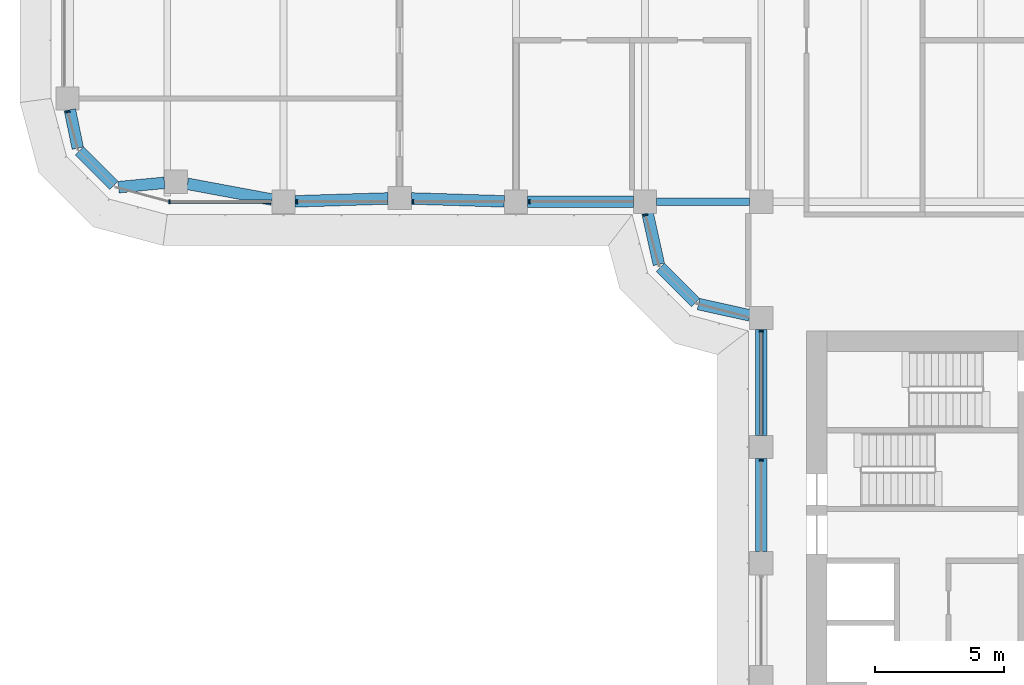
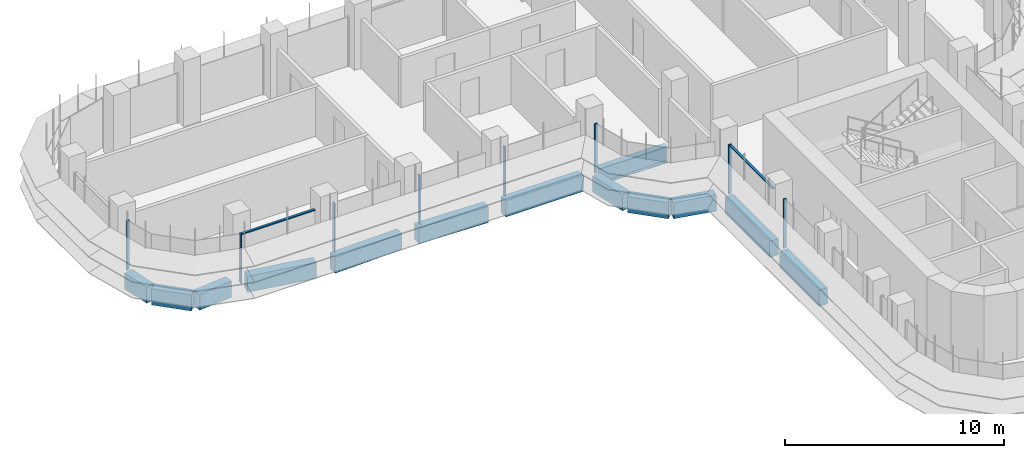
# One storey, part 3 of 22: 13 beams, 10 members, 4 elements without a shape of their own.
"""IFC4 building model written with IfcOpenShell, lengths in metres."""

import ifcopenshell
import ifcopenshell.guid

model = None  # the IFC model being written
_history = None  # IfcOwnerHistory: only IFC2X3 demands one
_inside = {}  # id of a spatial element -> (the spatial element, [elements in it])
_under = {}  # id of a project, library or spatial element -> (it, [spatial elements below it])
_declared = {}  # id of a project -> (the project, [libraries it declares])
_typed = {}  # id of a type object -> (the type object, [elements of that type])
_made_of = {}  # id of a material, layer set ... -> (it, [elements and type objects made of it])


def new_model(schema):
    """Start an empty IFC model of exactly this schema.

    Asked for "IFC4X3", IfcOpenShell would pick the latest addendum, in which some entities
    have other attributes; the version numbers below select the first issue.
    IFC2X3 requires an IfcOwnerHistory on every rooted entity: one is made here for all.
    """
    global model, _history
    if schema == "IFC4X3":
        model = ifcopenshell.file(schema_version=(4, 3, 0, 0))
    else:
        model = ifcopenshell.file(schema=schema)
    _inside.clear()
    _under.clear()
    _declared.clear()
    _typed.clear()
    _made_of.clear()
    _history = None
    if model.schema == "IFC2X3":
        org = make("IfcOrganization", Name="unknown")
        user = make(
            "IfcPersonAndOrganization",
            ThePerson=make("IfcPerson", FamilyName="unknown"),
            TheOrganization=org,
        )
        app = make(
            "IfcApplication",
            ApplicationDeveloper=org,
            Version="unknown",
            ApplicationFullName="unknown",
            ApplicationIdentifier="unknown",
        )
        _history = make(
            "IfcOwnerHistory",
            OwningUser=user,
            OwningApplication=app,
            ChangeAction="ADDED",
            CreationDate=0,
        )
    return model


def make(cls, **values):
    """One entity of the class cls with the attributes given. An attribute that is None is left unset."""
    return model.create_entity(
        cls, **{name: value for name, value in values.items() if value is not None}
    )


def rooted(cls, **values):
    """An entity with a GlobalId (a new one), such as an element, a storey or a relation."""
    return make(cls, GlobalId=ifcopenshell.guid.new(), OwnerHistory=_history, **values)


def si_unit(unit_type, name, prefix=None):
    """IfcSIUnit, for example si_unit("LENGTHUNIT", "METRE", prefix="MILLI")."""
    return make("IfcSIUnit", UnitType=unit_type, Prefix=prefix, Name=name)


def assignment(units):
    """IfcUnitAssignment: the units of a project."""
    return None if units is None else make("IfcUnitAssignment", Units=units)


def point(xyz):
    """IfcCartesianPoint."""
    return None if xyz is None else make("IfcCartesianPoint", Coordinates=xyz)


def direction(xyz):
    """IfcDirection."""
    return None if xyz is None else make("IfcDirection", DirectionRatios=xyz)


def frame(location, z_axis=None, x_axis=None):
    """IfcAxis2Placement3D, a coordinate frame: its origin and axes. An axis left out is left unset."""
    return make(
        "IfcAxis2Placement3D",
        Location=point(location),
        Axis=direction(z_axis),
        RefDirection=direction(x_axis),
    )


def frame_2d(location, x_axis=None):
    """IfcAxis2Placement2D, a coordinate frame in the plane: its origin and x axis."""
    return make(
        "IfcAxis2Placement2D", Location=point(location), RefDirection=direction(x_axis)
    )


def origin():
    """The frame at (0, 0, 0) with its axes left unset."""
    return frame((0.0, 0.0, 0.0))


def origin_2d():
    """The frame at (0, 0) in the plane with its x axis left unset."""
    return frame_2d((0.0, 0.0))


def place(relative_to, where):
    """IfcLocalPlacement: puts the frame where relative to a parent placement (None: the world)."""
    return make(
        "IfcLocalPlacement", PlacementRelTo=relative_to, RelativePlacement=where
    )


def context(
    kind, dimensions, precision=None, world=None, true_north=None, identifier=None
):
    """IfcGeometricRepresentationContext, for example the 3D "Model" context."""
    return make(
        "IfcGeometricRepresentationContext",
        ContextIdentifier=identifier,
        ContextType=kind,
        CoordinateSpaceDimension=dimensions,
        Precision=precision,
        WorldCoordinateSystem=world,
        TrueNorth=true_north,
    )


def subcontext(parent, identifier, kind, view, scale=None):
    """IfcGeometricRepresentationSubContext, for example "Body" below "Model"."""
    return make(
        "IfcGeometricRepresentationSubContext",
        ContextIdentifier=identifier,
        ContextType=kind,
        ParentContext=parent,
        TargetScale=scale,
        TargetView=view,
    )


def project(units=None, contexts=None):
    """IfcProject with its units and contexts."""
    return rooted(
        "IfcProject",
        Name="project",
        RepresentationContexts=contexts,
        UnitsInContext=assignment(units),
    )


def spatial(cls, under=None, at=None, **own):
    """A site, building, storey or space (cls), placed at a placement, below another one or the project."""
    s = rooted(cls, ObjectPlacement=at, **own)
    if under is not None:
        _under.setdefault(under.id(), (under, []))[1].append(s)
    return s


def polyline(points):
    """IfcPolyline through the points."""
    return make("IfcPolyline", Points=[point(p) for p in points])


def profile(cls, at=None, kind="AREA", **sizes):
    """A parametric profile (cls). Its sizes go by their IFC names, for example OverallWidth=200.0."""
    return make(cls, ProfileType=kind, Position=at, **sizes)


def rectangle(**sizes):
    """IfcRectangleProfileDef."""
    return profile("IfcRectangleProfileDef", **sizes)


def i_section(**sizes):
    """IfcIShapeProfileDef."""
    return profile("IfcIShapeProfileDef", **sizes)


def outline(outer, holes=None, kind="AREA"):
    """IfcArbitraryClosedProfileDef: a profile drawn as a closed curve; with holes, ...WithVoids."""
    if holes is None:
        return make("IfcArbitraryClosedProfileDef", ProfileType=kind, OuterCurve=outer)
    return make(
        "IfcArbitraryProfileDefWithVoids",
        ProfileType=kind,
        OuterCurve=outer,
        InnerCurves=holes,
    )


def extrude(swept, where, along, depth):
    """IfcExtrudedAreaSolid: the profile swept, set in the frame where, extruded along a direction by depth."""
    return make(
        "IfcExtrudedAreaSolid",
        SweptArea=swept,
        Position=where,
        ExtrudedDirection=direction(along),
        Depth=depth,
    )


def shape(context_of_items, identifier, shape_type, items):
    """IfcShapeRepresentation: the items that make up one representation, for example the "Body"."""
    return make(
        "IfcShapeRepresentation",
        ContextOfItems=context_of_items,
        RepresentationIdentifier=identifier,
        RepresentationType=shape_type,
        Items=items,
    )


def source(mapping_origin, context_of_items, identifier, shape_type, items):
    """IfcRepresentationMap: a shape defined once, which mapped items show again and again."""
    return make(
        "IfcRepresentationMap",
        MappingOrigin=mapping_origin,
        MappedRepresentation=shape(context_of_items, identifier, shape_type, items),
    )


def transform(
    local_origin,
    x_axis=None,
    y_axis=None,
    z_axis=None,
    scale=None,
    scale2=None,
    scale3=None,
    uniform=True,
):
    """IfcCartesianTransformationOperator3D, or its non-uniform kind. x_axis, y_axis, z_axis: its Axis1, 2, 3."""
    if uniform:
        return make(
            "IfcCartesianTransformationOperator3D",
            Axis1=direction(x_axis),
            Axis2=direction(y_axis),
            LocalOrigin=point(local_origin),
            Scale=scale,
            Axis3=direction(z_axis),
        )
    return make(
        "IfcCartesianTransformationOperator3DnonUniform",
        Axis1=direction(x_axis),
        Axis2=direction(y_axis),
        LocalOrigin=point(local_origin),
        Scale=scale,
        Axis3=direction(z_axis),
        Scale2=scale2,
        Scale3=scale3,
    )


def mapped(mapping_source, mapping_target):
    """IfcMappedItem: shows the shape of a source again, moved by a transform."""
    return make(
        "IfcMappedItem", MappingSource=mapping_source, MappingTarget=mapping_target
    )


def material(Name=None, Category=None):
    """IfcMaterial."""
    return make("IfcMaterial", Name=Name, Category=Category)


def material_profile(
    of_material, cross_section, Name=None, Category=None, Priority=None
):
    """IfcMaterialProfile: a cross section and its material."""
    return make(
        "IfcMaterialProfile",
        Name=Name,
        Material=of_material,
        Profile=cross_section,
        Priority=Priority,
        Category=Category,
    )


def profile_set(profiles, Name=None, composite=None):
    """IfcMaterialProfileSet."""
    return make(
        "IfcMaterialProfileSet",
        Name=Name,
        MaterialProfiles=profiles,
        CompositeProfile=composite,
    )


def made_of(thing, what):
    """Note that an element or type object is made of a material, layer set ...; save() writes the relation."""
    if what is not None:
        _made_of.setdefault(what.id(), (what, []))[1].append(thing)
    return thing


def type_object(cls, material=None, **own):
    """A type object (cls), such as IfcWallType, which elements share."""
    return made_of(rooted(cls, **own), material)


def element(
    cls,
    number,
    at=None,
    inside=None,
    cuts=None,
    type_object=None,
    material=None,
    context=None,
    identifier="Body",
    shape_type=None,
    held_by="IfcProductDefinitionShape",
    body=None,
    shapes=None,
    **own,
):
    """One element of the class cls, such as IfcWall. Its Tag is "e" and its number.

    at: its placement. inside: the storey or other place that contains it. cuts: it is an
    opening in that element (IfcRelVoidsElement). A single representation is given by context,
    identifier, shape_type and body (its items); several are given by shapes. held_by: the class
    of the entity that holds the representations. save() writes the other relations.
    """
    e = rooted(cls, Tag="e%d" % number, ObjectPlacement=at, **own)
    if body is not None:
        shapes = [shape(context, identifier, shape_type, body)]
    if shapes is not None:
        e.Representation = make(held_by, Representations=shapes)
    if inside is not None:
        _inside.setdefault(inside.id(), (inside, []))[1].append(e)
    if cuts is not None:
        rooted(
            "IfcRelVoidsElement", RelatingBuildingElement=cuts, RelatedOpeningElement=e
        )
    if type_object is not None:
        _typed.setdefault(type_object.id(), (type_object, []))[1].append(e)
    return made_of(e, material)


def aggregate(whole, parts):
    """IfcRelAggregates: a whole, such as a stair, and the parts it consists of."""
    return rooted("IfcRelAggregates", RelatingObject=whole, RelatedObjects=parts)


def save(model, path):
    """Write the relations noted so far, then the file.

    IfcRelAggregates (storeys below a building ...), IfcRelContainedInSpatialStructure (elements
    in a storey), IfcRelDefinesByType, IfcRelAssociatesMaterial and IfcRelDeclares: one each for
    every whole, place, type object, material and project.
    """
    for whole, parts in _under.values():
        aggregate(whole, parts)
    for where, things in _inside.values():
        rooted(
            "IfcRelContainedInSpatialStructure",
            RelatedElements=things,
            RelatingStructure=where,
        )
    for kind, things in _typed.values():
        rooted("IfcRelDefinesByType", RelatedObjects=things, RelatingType=kind)
    for what, things in _made_of.values():
        rooted("IfcRelAssociatesMaterial", RelatedObjects=things, RelatingMaterial=what)
    for by, libraries in _declared.values():
        rooted("IfcRelDeclares", RelatingContext=by, RelatedDefinitions=libraries)
    model.write(path)


model = new_model("IFC4")

# Units and contexts
model_context = context("Model", 3, precision=1e-05, world=origin(), true_north=direction((0.0, 1.0)))
body_context = subcontext(model_context, "Body", "Model", "MODEL_VIEW")
ifc_project = project(units=[si_unit("LENGTHUNIT", "METRE"), si_unit("AREAUNIT", "SQUARE_METRE"), si_unit("VOLUMEUNIT", "CUBIC_METRE"), si_unit("PLANEANGLEUNIT", "RADIAN"), si_unit("MASSUNIT", "GRAM", prefix="KILO")], contexts=[model_context])

# Site, building, storey
site_placement = place(None, origin())
site = spatial("IfcSite", under=ifc_project, at=site_placement, CompositionType="ELEMENT")
building_placement = place(site_placement, origin())
building = spatial("IfcBuilding", under=site, at=building_placement, Name="Zarbagh Exchange Tower", CompositionType="ELEMENT")
storey_placement = place(building_placement, frame((0.0, 0.0, 98.0)))
storey = spatial("IfcBuildingStorey", under=building, at=storey_placement, Name="L22", CompositionType="ELEMENT", Elevation=98.0)

# Beams
ifc_material_1 = material(Name="Steel ASTM A992 Gr 50", Category="steel")
ifc_material_profile_1 = material_profile(ifc_material_1, i_section(OverallWidth=0.3046875, OverallDepth=0.911865234375, WebThickness=0.015869140625, FlangeThickness=0.02392578125, at=origin_2d()), Name="W36X150")
ifc_profile_set_1 = profile_set([ifc_material_profile_1], Name="Steel ASTM A992 Gr 50")
beam_type_1 = type_object("IfcBeamType", Name="Floor girder W36X150", PredefinedType="BEAM", material=ifc_profile_set_1)
beam_1_placement = place(storey_placement, frame((-10.300048828125, -6.25, -0.60595703125), z_axis=(1.0, 0.0, 0.0), x_axis=(0.0, 1.0, 0.0)))
element("IfcBeam", 1, at=beam_1_placement, inside=storey, type_object=beam_type_1, Name="Steel girder", PredefinedType="BEAM", context=body_context, shape_type="SweptSolid", body=[
    extrude(i_section(OverallWidth=0.3046875, OverallDepth=0.911865234375, WebThickness=0.015869140625, FlangeThickness=0.02392578125, at=origin_2d()), origin(), (0.0, 0.0, 1.0), 3.60009765625),
])
ifc_material_2 = material(Name="Concrete C60/75", Category="concrete")
ifc_material_profile_2 = material_profile(ifc_material_2, rectangle(XDim=0.449951171875, YDim=0.89990234375, at=origin_2d()), Name="RC spandrel beam 450 x 900 C60/75")
ifc_profile_set_2 = profile_set([ifc_material_profile_2], Name="Concrete C60/75")
beam_type_2 = type_object("IfcBeamType", Name="RC spandrel beam 450 x 900 C60/75", PredefinedType="SPANDREL", material=ifc_profile_set_2)
beam_2_placement = place(storey_placement, frame((-6.25, -19.800048828125, -0.60009765625), z_axis=(0.0, 1.0, 0.0), x_axis=(-1.0, 0.0, 0.0)))
element("IfcBeam", 2, at=beam_2_placement, inside=storey, type_object=beam_type_2, Name="RC spandrel beam", PredefinedType="SPANDREL", context=body_context, shape_type="SweptSolid", body=[
    extrude(rectangle(XDim=0.449951171875, YDim=0.89990234375, at=origin_2d()), origin(), (0.0, 0.0, 1.0), 3.60009765625),
])
beam_3_placement = place(storey_placement, frame((-6.25, -15.300048828125, -0.60009765625), z_axis=(0.0, 1.0, 0.0), x_axis=(-1.0, 0.0, 0.0)))
element("IfcBeam", 3, at=beam_3_placement, inside=storey, type_object=beam_type_2, Name="RC spandrel beam", PredefinedType="SPANDREL", context=body_context, shape_type="SweptSolid", body=[
    extrude(rectangle(XDim=0.449951171875, YDim=0.89990234375, at=origin_2d()), origin(), (0.0, 0.0, 1.0), 4.10009765625),
])
beam_4_placement = place(storey_placement, frame((-6.689453125, -10.65283203125, -0.60009765625), z_axis=(-0.976367325525, 0.216117666208, 0.0), x_axis=(-0.216117666208, -0.976367325525, 0.0)))
element("IfcBeam", 4, at=beam_4_placement, inside=storey, type_object=beam_type_2, Name="RC spandrel beam", PredefinedType="SPANDREL", context=body_context, shape_type="SweptSolid", body=[
    extrude(rectangle(XDim=0.449951171875, YDim=0.89990234375, at=origin_2d()), origin(), (0.0, 0.0, 1.0), 2.03564453125),
])
beam_5_placement = place(storey_placement, frame((-8.78759765625, -10.15234375, -0.60009765625), z_axis=(-0.707106781187, 0.707106781187, 0.0), x_axis=(-0.707106781187, -0.707106781187, 0.0)))
element("IfcBeam", 5, at=beam_5_placement, inside=storey, type_object=beam_type_2, Name="RC spandrel beam", PredefinedType="SPANDREL", context=body_context, shape_type="SweptSolid", body=[
    extrude(rectangle(XDim=0.449951171875, YDim=0.89990234375, at=origin_2d()), origin(), (0.0, 0.0, 1.0), 1.929931640625),
])
beam_6_placement = place(storey_placement, frame((-10.212890625, -8.677001953125, -0.60009765625), z_axis=(-0.216117666208, 0.976367325525, 0.0), x_axis=(-0.976367325525, -0.216117666208, 0.0)))
element("IfcBeam", 6, at=beam_6_placement, inside=storey, type_object=beam_type_2, Name="RC spandrel beam", PredefinedType="SPANDREL", context=body_context, shape_type="SweptSolid", body=[
    extrude(rectangle(XDim=0.449951171875, YDim=0.89990234375, at=origin_2d()), origin(), (0.0, 0.0, 1.0), 2.03564453125),
])
beam_7_placement = place(storey_placement, frame((-11.199951171875, -6.25, -0.60009765625), z_axis=(-1.0, 0.0, 0.0), x_axis=(0.0, -1.0, 0.0)))
element("IfcBeam", 7, at=beam_7_placement, inside=storey, type_object=beam_type_2, Name="RC spandrel beam", PredefinedType="SPANDREL", context=body_context, shape_type="SweptSolid", body=[
    extrude(rectangle(XDim=0.449951171875, YDim=0.89990234375, at=origin_2d()), origin(), (0.0, 0.0, 1.0), 4.10009765625),
])
for number, where, z_axis, x_axis, name in (
    (8, (-16.19970703125, -6.236083984375, -0.60009765625), (-0.999516035224, 0.031107801747, 0.0), (-0.031107801747, -0.999516035224, 0.0), "RC spandrel beam"),
    (9, (-20.69970703125, -6.1240234375, -0.60009765625), (-0.999516035224, -0.031107801747, 0.0), (0.031107801747, -0.999516035224, 0.0), "RC spandrel beam"),
):
    element("IfcBeam", number, at=place(storey_placement, frame(where, z_axis=z_axis, x_axis=x_axis)), inside=storey, type_object=beam_type_2, Name=name, PredefinedType="SPANDREL", context=body_context, shape_type="SweptSolid", body=[
        extrude(rectangle(XDim=0.449951171875, YDim=0.89990234375, at=origin_2d()), origin(), (0.0, 0.0, 1.0), 3.602294921875),
    ])
beam_8_placement = place(storey_placement, frame((-25.1923828125, -6.16748046875, -0.60009765625), z_axis=(-0.98308156541, 0.183168326277, 0.0), x_axis=(-0.183168326277, -0.98308156541, 0.0)))
element("IfcBeam", 10, at=beam_8_placement, inside=storey, type_object=beam_type_2, Name="RC spandrel beam", PredefinedType="SPANDREL", context=body_context, shape_type="SweptSolid", body=[
    extrude(rectangle(XDim=0.449951171875, YDim=0.89990234375, at=origin_2d()), origin(), (0.0, 0.0, 1.0), 3.32958984375),
])
beam_9_placement = place(storey_placement, frame((-29.35595703125, -5.51806640625, -0.60009765625), z_axis=(-0.995433267802, -0.095459988228, 0.0), x_axis=(0.095459988228, -0.995433267802, 0.0)))
element("IfcBeam", 11, at=beam_9_placement, inside=storey, type_object=beam_type_2, Name="RC spandrel beam", PredefinedType="SPANDREL", context=body_context, shape_type="SweptSolid", body=[
    extrude(rectangle(XDim=0.449951171875, YDim=0.89990234375, at=origin_2d()), origin(), (0.0, 0.0, 1.0), 1.78759765625),
])
beam_10_placement = place(storey_placement, frame((-31.316162109375, -5.623779296875, -0.60009765625), z_axis=(-0.707106781187, 0.707106781187, 0.0), x_axis=(-0.707106781187, -0.707106781187, 0.0)))
element("IfcBeam", 12, at=beam_10_placement, inside=storey, type_object=beam_type_2, Name="RC spandrel beam", PredefinedType="SPANDREL", context=body_context, shape_type="SweptSolid", body=[
    extrude(rectangle(XDim=0.449951171875, YDim=0.89990234375, at=origin_2d()), origin(), (0.0, 0.0, 1.0), 1.887939453125),
])
beam_11_placement = place(storey_placement, frame((-32.71240234375, -4.17529296875, -0.60009765625), z_axis=(-0.202275417995, 0.979328675816, 0.0), x_axis=(-0.979328675816, -0.202275417995, 0.0)))
element("IfcBeam", 13, at=beam_11_placement, inside=storey, type_object=beam_type_2, Name="RC spandrel beam", PredefinedType="SPANDREL", context=body_context, shape_type="SweptSolid", body=[
    extrude(rectangle(XDim=0.449951171875, YDim=0.89990234375, at=origin_2d()), origin(), (0.0, 0.0, 1.0), 1.515869140625),
])

# Curtain wall, member
ifc_material_3 = material(Name="Anodised aluminium frame and glazing", Category="aluminium")
curtain_wall_type = type_object("IfcCurtainWallType", Name="CWA Ribbon glazing, lower zones", PredefinedType="NOTDEFINED", material=ifc_material_3)
curtain_wall_1_placement = place(storey_placement, origin())
curtain_wall_1 = element("IfcCurtainWall", 14, at=curtain_wall_1_placement, inside=storey, type_object=curtain_wall_type, Name="CWA37 curtain wall", PredefinedType="NOTDEFINED")
ifc_material_4 = material(Name="Anodised aluminium frame", Category="aluminium")
member_type_1 = type_object("IfcMemberType", Name="MUA Mullion, anodised aluminium frame", PredefinedType="MULLION", material=ifc_material_4)
shared_shape_1 = source(origin(), body_context, "Body", "SweptSolid", [
    extrude(outline(polyline([(0.0, -0.080078125), (0.06005859375, -0.080078125), (0.06005859375, 0.080078125), (0.0, 0.080078125), (0.0, -0.080078125)])), origin(), (0.0, 0.0, 1.0), 2.75),
])
placement = place(storey_placement, origin())
member_1 = element("IfcMember", 15, at=placement, type_object=member_type_1, Name="CWA37 mullion 1.1", PredefinedType="MULLION", context=body_context, shape_type="MappedRepresentation", body=[
    mapped(shared_shape_1, transform((-33.10107421875, -2.739990234375, 0.0), x_axis=(0.258824779902, -0.965924289636, 0.0), y_axis=(0.965924289636, 0.258824779902, 0.0), z_axis=(0.0, 0.0, 1.0))),
])
aggregate(curtain_wall_1, [member_1])

# Curtain wall, members
curtain_wall_2_placement = place(storey_placement, origin())
curtain_wall_2 = element("IfcCurtainWall", 16, at=curtain_wall_2_placement, inside=storey, type_object=curtain_wall_type, Name="CWA40 curtain wall", PredefinedType="NOTDEFINED")
member_2 = element("IfcMember", 17, at=placement, type_object=member_type_1, Name="CWA40 mullion 1.1", PredefinedType="MULLION", context=body_context, shape_type="MappedRepresentation", body=[
    mapped(shared_shape_1, transform((-29.18408203125, -6.25, 0.0), x_axis=(1.0, 0.0, 0.0), y_axis=(0.0, 1.0, 0.0), z_axis=(0.0, 0.0, 1.0))),
])
member_3 = element("IfcMember", 18, at=placement, type_object=member_type_1, Name="CWA40 mullion 2.1", PredefinedType="MULLION", context=body_context, shape_type="MappedRepresentation", body=[
    mapped(shared_shape_1, transform((-24.260009765625, -6.25, 0.0), x_axis=(1.0, 0.0, 0.0), y_axis=(0.0, 1.0, 0.0), z_axis=(0.0, 0.0, 1.0))),
])
member_4 = element("IfcMember", 19, at=placement, type_object=member_type_1, Name="CWA40 mullion 3.1", PredefinedType="MULLION", context=body_context, shape_type="MappedRepresentation", body=[
    mapped(shared_shape_1, transform((-19.760009765625, -6.25, 0.0), x_axis=(1.0, 0.0, 0.0), y_axis=(0.0, 1.0, 0.0), z_axis=(0.0, 0.0, 1.0))),
])
member_5 = element("IfcMember", 20, at=placement, type_object=member_type_1, Name="CWA40 mullion 4.1", PredefinedType="MULLION", context=body_context, shape_type="MappedRepresentation", body=[
    mapped(shared_shape_1, transform((-15.260009765625, -6.25, 0.0), x_axis=(1.0, 0.0, 0.0), y_axis=(0.0, 1.0, 0.0), z_axis=(0.0, 0.0, 1.0))),
])

# Curtain wall, member
curtain_wall_3_placement = place(storey_placement, origin())
curtain_wall_3 = element("IfcCurtainWall", 21, at=curtain_wall_3_placement, inside=storey, type_object=curtain_wall_type, Name="CWA41 curtain wall", PredefinedType="NOTDEFINED")
member_6 = element("IfcMember", 22, at=placement, type_object=member_type_1, Name="CWA41 mullion 1.1", PredefinedType="MULLION", context=body_context, shape_type="MappedRepresentation", body=[
    mapped(shared_shape_1, transform((-10.735107421875, -6.739990234375, 0.0), x_axis=(0.258824779902, -0.965924289636, 0.0), y_axis=(0.965924289636, 0.258824779902, 0.0), z_axis=(0.0, 0.0, 1.0))),
])
aggregate(curtain_wall_3, [member_6])

# Curtain wall, members
curtain_wall_4_placement = place(storey_placement, origin())
curtain_wall_4 = element("IfcCurtainWall", 23, at=curtain_wall_4_placement, inside=storey, type_object=curtain_wall_type, Name="CWA44 curtain wall", PredefinedType="NOTDEFINED")
member_7 = element("IfcMember", 24, at=placement, type_object=member_type_1, Name="CWA44 mullion 1.1", PredefinedType="MULLION", context=body_context, shape_type="MappedRepresentation", body=[
    mapped(shared_shape_1, transform((-6.25, -11.239990234375, 0.0), x_axis=(0.0, -1.0, 0.0), y_axis=(1.0, 0.0, 0.0), z_axis=(0.0, 0.0, 1.0))),
])
member_8 = element("IfcMember", 25, at=placement, type_object=member_type_1, Name="CWA44 mullion 2.1", PredefinedType="MULLION", context=body_context, shape_type="MappedRepresentation", body=[
    mapped(shared_shape_1, transform((-6.25, -16.239990234375, 0.0), x_axis=(0.0, -1.0, 0.0), y_axis=(1.0, 0.0, 0.0), z_axis=(0.0, 0.0, 1.0))),
])
member_type_2 = type_object("IfcMemberType", Name="TRA Transom, anodised aluminium frame", PredefinedType="USERDEFINED", material=ifc_material_4)
shared_shape_2 = source(origin(), body_context, "Body", "SweptSolid", [
    extrude(outline(polyline([(-0.06005859375, -0.06005859375), (0.0, -0.06005859375), (0.0, 0.06005859375), (-0.06005859375, 0.06005859375), (-0.06005859375, -0.06005859375)])), origin(), (0.0, 0.0, 1.0), 3.9599609375),
])
member_9 = element("IfcMember", 26, at=placement, type_object=member_type_2, Name="CWA44 transom 1.1", ObjectType="TRANSOM", PredefinedType="USERDEFINED", context=body_context, shape_type="MappedRepresentation", body=[
    mapped(shared_shape_2, transform((-6.25, -11.300048828125, 2.75), x_axis=(0.0, 0.0, 1.0), y_axis=(-1.0, 0.0, 0.0), z_axis=(0.0, -1.0, 0.0))),
])
aggregate(curtain_wall_4, [member_7, member_9, member_8])

# Member
shared_shape_3 = source(origin(), body_context, "Body", "SweptSolid", [
    extrude(outline(polyline([(-0.06005859375, -0.06005859375), (0.0, -0.06005859375), (0.0, 0.06005859375), (-0.06005859375, 0.06005859375), (-0.06005859375, -0.06005859375)])), origin(), (0.0, 0.0, 1.0), 3.88427734375),
])
member_10 = element("IfcMember", 27, at=placement, type_object=member_type_2, Name="CWA40 transom 1.1", ObjectType="TRANSOM", PredefinedType="USERDEFINED", context=body_context, shape_type="MappedRepresentation", body=[
    mapped(shared_shape_3, transform((-29.124267578125, -6.25, 2.75), x_axis=(0.0, 0.0, 1.0), y_axis=(0.0, -1.0, 0.0), z_axis=(1.0, 0.0, 0.0))),
])

aggregate(curtain_wall_2, [member_2, member_10, member_3, member_4, member_5])

save(model, "model.ifc")
